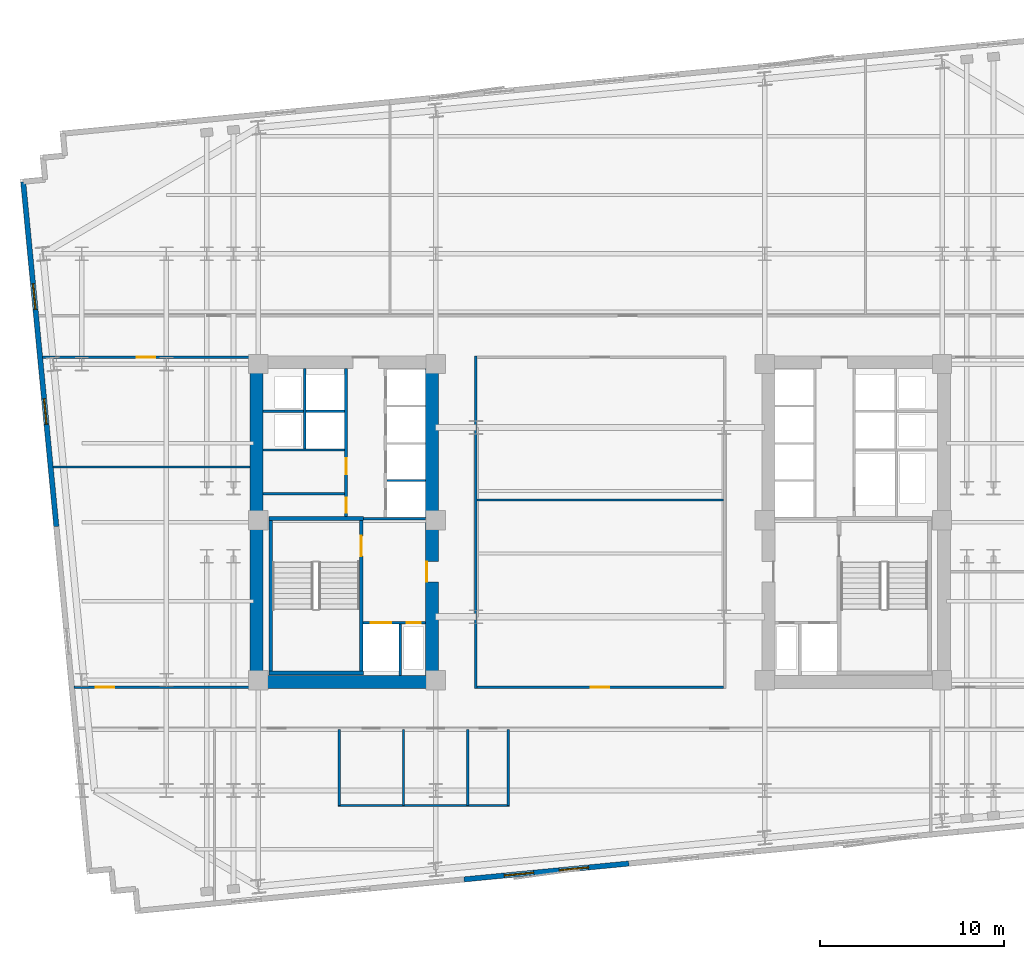
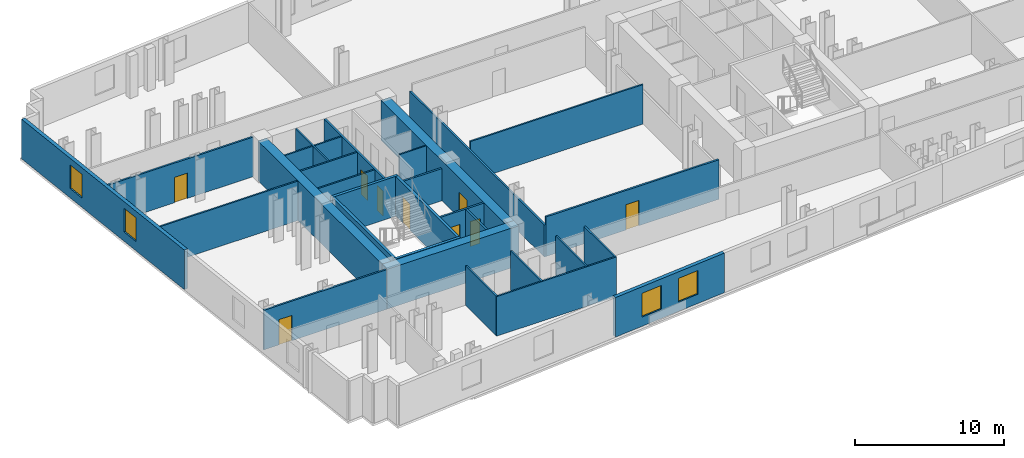
# One storey, part 4 of 10: 30 walls, 9 doors, 4 windows, 13 openings.
"""IFC4 building model written with IfcOpenShell, lengths in metres."""

import ifcopenshell
import ifcopenshell.guid

model = None  # the IFC model being written
_history = None  # IfcOwnerHistory: only IFC2X3 demands one
_inside = {}  # id of a spatial element -> (the spatial element, [elements in it])
_under = {}  # id of a project, library or spatial element -> (it, [spatial elements below it])
_declared = {}  # id of a project -> (the project, [libraries it declares])
_typed = {}  # id of a type object -> (the type object, [elements of that type])
_made_of = {}  # id of a material, layer set ... -> (it, [elements and type objects made of it])


def new_model(schema):
    """Start an empty IFC model of exactly this schema.

    Asked for "IFC4X3", IfcOpenShell would pick the latest addendum, in which some entities
    have other attributes; the version numbers below select the first issue.
    IFC2X3 requires an IfcOwnerHistory on every rooted entity: one is made here for all.
    """
    global model, _history
    if schema == "IFC4X3":
        model = ifcopenshell.file(schema_version=(4, 3, 0, 0))
    else:
        model = ifcopenshell.file(schema=schema)
    _inside.clear()
    _under.clear()
    _declared.clear()
    _typed.clear()
    _made_of.clear()
    _history = None
    if model.schema == "IFC2X3":
        org = make("IfcOrganization", Name="unknown")
        user = make(
            "IfcPersonAndOrganization",
            ThePerson=make("IfcPerson", FamilyName="unknown"),
            TheOrganization=org,
        )
        app = make(
            "IfcApplication",
            ApplicationDeveloper=org,
            Version="unknown",
            ApplicationFullName="unknown",
            ApplicationIdentifier="unknown",
        )
        _history = make(
            "IfcOwnerHistory",
            OwningUser=user,
            OwningApplication=app,
            ChangeAction="ADDED",
            CreationDate=0,
        )
    return model


def make(cls, **values):
    """One entity of the class cls with the attributes given. An attribute that is None is left unset."""
    return model.create_entity(
        cls, **{name: value for name, value in values.items() if value is not None}
    )


def rooted(cls, **values):
    """An entity with a GlobalId (a new one), such as an element, a storey or a relation."""
    return make(cls, GlobalId=ifcopenshell.guid.new(), OwnerHistory=_history, **values)


def si_unit(unit_type, name, prefix=None):
    """IfcSIUnit, for example si_unit("LENGTHUNIT", "METRE", prefix="MILLI")."""
    return make("IfcSIUnit", UnitType=unit_type, Prefix=prefix, Name=name)


def assignment(units):
    """IfcUnitAssignment: the units of a project."""
    return None if units is None else make("IfcUnitAssignment", Units=units)


def point(xyz):
    """IfcCartesianPoint."""
    return None if xyz is None else make("IfcCartesianPoint", Coordinates=xyz)


def direction(xyz):
    """IfcDirection."""
    return None if xyz is None else make("IfcDirection", DirectionRatios=xyz)


def frame(location, z_axis=None, x_axis=None):
    """IfcAxis2Placement3D, a coordinate frame: its origin and axes. An axis left out is left unset."""
    return make(
        "IfcAxis2Placement3D",
        Location=point(location),
        Axis=direction(z_axis),
        RefDirection=direction(x_axis),
    )


def frame_2d(location, x_axis=None):
    """IfcAxis2Placement2D, a coordinate frame in the plane: its origin and x axis."""
    return make(
        "IfcAxis2Placement2D", Location=point(location), RefDirection=direction(x_axis)
    )


def origin():
    """The frame at (0, 0, 0) with its axes left unset."""
    return frame((0.0, 0.0, 0.0))


def place(relative_to, where):
    """IfcLocalPlacement: puts the frame where relative to a parent placement (None: the world)."""
    return make(
        "IfcLocalPlacement", PlacementRelTo=relative_to, RelativePlacement=where
    )


def context(
    kind, dimensions, precision=None, world=None, true_north=None, identifier=None
):
    """IfcGeometricRepresentationContext, for example the 3D "Model" context."""
    return make(
        "IfcGeometricRepresentationContext",
        ContextIdentifier=identifier,
        ContextType=kind,
        CoordinateSpaceDimension=dimensions,
        Precision=precision,
        WorldCoordinateSystem=world,
        TrueNorth=true_north,
    )


def subcontext(parent, identifier, kind, view, scale=None):
    """IfcGeometricRepresentationSubContext, for example "Body" below "Model"."""
    return make(
        "IfcGeometricRepresentationSubContext",
        ContextIdentifier=identifier,
        ContextType=kind,
        ParentContext=parent,
        TargetScale=scale,
        TargetView=view,
    )


def project(units=None, contexts=None):
    """IfcProject with its units and contexts."""
    return rooted(
        "IfcProject",
        Name="project",
        RepresentationContexts=contexts,
        UnitsInContext=assignment(units),
    )


def spatial(cls, under=None, at=None, **own):
    """A site, building, storey or space (cls), placed at a placement, below another one or the project."""
    s = rooted(cls, ObjectPlacement=at, **own)
    if under is not None:
        _under.setdefault(under.id(), (under, []))[1].append(s)
    return s


def profile(cls, at=None, kind="AREA", **sizes):
    """A parametric profile (cls). Its sizes go by their IFC names, for example OverallWidth=200.0."""
    return make(cls, ProfileType=kind, Position=at, **sizes)


def rectangle(**sizes):
    """IfcRectangleProfileDef."""
    return profile("IfcRectangleProfileDef", **sizes)


def extrude(swept, where, along, depth):
    """IfcExtrudedAreaSolid: the profile swept, set in the frame where, extruded along a direction by depth."""
    return make(
        "IfcExtrudedAreaSolid",
        SweptArea=swept,
        Position=where,
        ExtrudedDirection=direction(along),
        Depth=depth,
    )


def shape(context_of_items, identifier, shape_type, items):
    """IfcShapeRepresentation: the items that make up one representation, for example the "Body"."""
    return make(
        "IfcShapeRepresentation",
        ContextOfItems=context_of_items,
        RepresentationIdentifier=identifier,
        RepresentationType=shape_type,
        Items=items,
    )


def material(Name=None, Category=None):
    """IfcMaterial."""
    return make("IfcMaterial", Name=Name, Category=Category)


def layer(
    of_material, thickness, ventilated=None, Name=None, Category=None, Priority=None
):
    """IfcMaterialLayer: one layer of a wall or slab, of a material (None: an air gap)."""
    return make(
        "IfcMaterialLayer",
        Material=of_material,
        LayerThickness=thickness,
        IsVentilated=ventilated,
        Name=Name,
        Category=Category,
        Priority=Priority,
    )


def layer_set(layers, Name=None):
    """IfcMaterialLayerSet."""
    return make("IfcMaterialLayerSet", MaterialLayers=layers, LayerSetName=Name)


def made_of(thing, what):
    """Note that an element or type object is made of a material, layer set ...; save() writes the relation."""
    if what is not None:
        _made_of.setdefault(what.id(), (what, []))[1].append(thing)
    return thing


def type_object(cls, material=None, **own):
    """A type object (cls), such as IfcWallType, which elements share."""
    return made_of(rooted(cls, **own), material)


def element(
    cls,
    number,
    at=None,
    inside=None,
    cuts=None,
    type_object=None,
    material=None,
    context=None,
    identifier="Body",
    shape_type=None,
    held_by="IfcProductDefinitionShape",
    body=None,
    shapes=None,
    **own,
):
    """One element of the class cls, such as IfcWall. Its Tag is "e" and its number.

    at: its placement. inside: the storey or other place that contains it. cuts: it is an
    opening in that element (IfcRelVoidsElement). A single representation is given by context,
    identifier, shape_type and body (its items); several are given by shapes. held_by: the class
    of the entity that holds the representations. save() writes the other relations.
    """
    e = rooted(cls, Tag="e%d" % number, ObjectPlacement=at, **own)
    if body is not None:
        shapes = [shape(context, identifier, shape_type, body)]
    if shapes is not None:
        e.Representation = make(held_by, Representations=shapes)
    if inside is not None:
        _inside.setdefault(inside.id(), (inside, []))[1].append(e)
    if cuts is not None:
        rooted(
            "IfcRelVoidsElement", RelatingBuildingElement=cuts, RelatedOpeningElement=e
        )
    if type_object is not None:
        _typed.setdefault(type_object.id(), (type_object, []))[1].append(e)
    return made_of(e, material)


def fill(opening, filler):
    """IfcRelFillsElement: the door or window that sits in an opening."""
    return rooted(
        "IfcRelFillsElement",
        RelatingOpeningElement=opening,
        RelatedBuildingElement=filler,
    )


def aggregate(whole, parts):
    """IfcRelAggregates: a whole, such as a stair, and the parts it consists of."""
    return rooted("IfcRelAggregates", RelatingObject=whole, RelatedObjects=parts)


def save(model, path):
    """Write the relations noted so far, then the file.

    IfcRelAggregates (storeys below a building ...), IfcRelContainedInSpatialStructure (elements
    in a storey), IfcRelDefinesByType, IfcRelAssociatesMaterial and IfcRelDeclares: one each for
    every whole, place, type object, material and project.
    """
    for whole, parts in _under.values():
        aggregate(whole, parts)
    for where, things in _inside.values():
        rooted(
            "IfcRelContainedInSpatialStructure",
            RelatedElements=things,
            RelatingStructure=where,
        )
    for kind, things in _typed.values():
        rooted("IfcRelDefinesByType", RelatedObjects=things, RelatingType=kind)
    for what, things in _made_of.values():
        rooted("IfcRelAssociatesMaterial", RelatedObjects=things, RelatingMaterial=what)
    for by, libraries in _declared.values():
        rooted("IfcRelDeclares", RelatingContext=by, RelatedDefinitions=libraries)
    model.write(path)


model = new_model("IFC4")

# Units and contexts
model_context = context("Model", 3, precision=1e-05, world=origin(), true_north=direction((0.0, 1.0)))
body_context = subcontext(model_context, "Body", "Model", "MODEL_VIEW")
ifc_project = project(units=[si_unit("LENGTHUNIT", "METRE"), si_unit("AREAUNIT", "SQUARE_METRE"), si_unit("VOLUMEUNIT", "CUBIC_METRE"), si_unit("PLANEANGLEUNIT", "RADIAN"), si_unit("MASSUNIT", "GRAM", prefix="KILO")], contexts=[model_context])

# Site, building, storey
site_placement = place(None, origin())
site = spatial("IfcSite", under=ifc_project, at=site_placement, CompositionType="ELEMENT")
building_placement = place(site_placement, origin())
building = spatial("IfcBuilding", under=site, at=building_placement, Name="Velakula Bourse", CompositionType="ELEMENT")
storey_placement = place(building_placement, frame((0.0, 0.0, 77.64990234375)))
storey = spatial("IfcBuildingStorey", under=building, at=storey_placement, Name="L20", CompositionType="ELEMENT", Elevation=77.64990234375)

# Wall, opening, door
ifc_material_1 = material(Name="Concrete M50 (fck 50 MPa)", Category="concrete")
ifc_layer_1 = layer(ifc_material_1, 0.2099609375, Name="Concrete M50 (fck 50 MPa)", Category="concrete")
ifc_layer_set_1 = layer_set([ifc_layer_1], Name="Concrete M50 (fck 50 MPa)")
wall_type_1 = type_object("IfcWallType", Name="WL-CORE-210", PredefinedType="SHEAR", material=ifc_layer_set_1)
wall_1_placement = place(storey_placement, frame((-12.9951171875, -8.10009765625, 0.0), z_axis=(0.0, 0.0, 1.0), x_axis=(0.0, 1.0, 0.0)))
wall_1 = element("IfcWall", 1, at=wall_1_placement, inside=storey, type_object=wall_type_1, Name="L20 Core W Stairwell Shear Wall IN", PredefinedType="SHEAR", context=body_context, shape_type="SweptSolid", body=[
    extrude(rectangle(XDim=8.2001953125, YDim=0.2099609375, at=frame_2d((4.10009765625, 0.0))), origin(), (0.0, 0.0, 1.0), 3.27001953125),
])
opening_1_placement = place(wall_1_placement, frame((6.25, 0.0, 0.0)))
opening_1 = element("IfcOpeningElement", 2, at=opening_1_placement, cuts=wall_1, Name="Opening D-STW1", PredefinedType="OPENING", context=body_context, shape_type="SweptSolid", body=[
    extrude(rectangle(XDim=1.10009765625, YDim=2.14990234375, at=frame_2d((0.550048828125, 1.074951171875))), frame((0.0, 0.114990234375, 0.0), z_axis=(0.0, -1.0, 0.0), x_axis=(1.0, 0.0, 0.0)), (0.0, 0.0, 1.0), 0.22998046875),
])
ifc_material_2 = material(Name="Galvanised painted hollow steel fire door", Category="steel")
door_type_1 = type_object("IfcDoorType", Name="DR-FD120-1100x2150", OperationType="NOTDEFINED", PredefinedType="DOOR", material=ifc_material_2)
door_1_placement = place(opening_1_placement, origin())
door_1 = element("IfcDoor", 3, at=door_1_placement, inside=storey, type_object=door_type_1, Name="L20 Stair ST-W1 Fire Door", OperationType="SINGLE_SWING_LEFT", OverallHeight=2.14990234375, OverallWidth=1.10009765625, PredefinedType="DOOR", context=body_context, shape_type="SweptSolid", body=[
    extrude(rectangle(XDim=1.10009765625, YDim=2.14990234375, at=frame_2d((0.550048828125, 1.074951171875))), frame((0.0, 0.02490234375, 0.0), z_axis=(0.0, -1.0, 0.0), x_axis=(1.0, 0.0, 0.0)), (0.0, 0.0, 1.0), 0.050048828125),
])
fill(opening_1, door_1)

# Walls
wall_2_placement = place(storey_placement, frame((-17.925048828125, -8.10009765625, 0.0), z_axis=(0.0, 0.0, 1.0), x_axis=(0.0, 1.0, 0.0)))
element("IfcWall", 4, at=wall_2_placement, inside=storey, type_object=wall_type_1, Name="L20 Core W Stairwell Shear Wall OUT", PredefinedType="SHEAR", context=body_context, shape_type="SweptSolid", body=[
    extrude(rectangle(XDim=8.2001953125, YDim=0.2099609375, at=frame_2d((4.10009765625, 0.0))), origin(), (0.0, 0.0, 1.0), 3.27001953125),
])
for number, where, z_axis, x_axis, name in (
    (5, (-18.030029296875, -8.205078125, 0.0), (0.0, 0.0, 1.0), (1.0, 0.0, 0.0), "L20 Core W Stairwell Shear Wall S"),
    (6, (-12.889892578125, 0.205078125, 0.0), (0.0, 0.0, 1.0), (-1.0, 0.0, 0.0), "L20 Core W Stairwell Shear Wall N"),
):
    element("IfcWall", number, at=place(storey_placement, frame(where, z_axis=z_axis, x_axis=x_axis)), inside=storey, type_object=wall_type_1, Name=name, PredefinedType="SHEAR", context=body_context, shape_type="SweptSolid", body=[
        extrude(rectangle(XDim=5.14013671875, YDim=0.2099609375, at=frame_2d((2.570068359375, 0.0))), origin(), (0.0, 0.0, 1.0), 3.27001953125),
    ])
ifc_material_3 = material(Name="Concrete M70 (fck 70 MPa)", Category="concrete")
ifc_layer_2 = layer(ifc_material_3, 0.699951171875, Name="Concrete M70 (fck 70 MPa)", Category="concrete")
ifc_layer_set_2 = layer_set([ifc_layer_2], Name="Concrete M70 (fck 70 MPa)")
wall_type_2 = type_object("IfcWallType", Name="WL-CORE-700", PredefinedType="SHEAR", material=ifc_layer_set_2)
wall_3_placement = place(storey_placement, frame((-19.050048828125, -8.699951171875, 0.0), z_axis=(0.0, 0.0, 1.0), x_axis=(1.0, 0.0, 0.0)))
element("IfcWall", 7, at=wall_3_placement, inside=storey, type_object=wall_type_2, Name="L20 Core W Shear Wall S", PredefinedType="SHEAR", context=body_context, shape_type="SweptSolid", body=[
    extrude(rectangle(XDim=10.25, YDim=0.699951171875, at=frame_2d((5.125, 0.0))), origin(), (0.0, 0.0, 1.0), 3.27001953125),
])
wall_4_placement = place(storey_placement, frame((-18.699951171875, -8.35009765625, 0.0), z_axis=(0.0, 0.0, 1.0), x_axis=(0.0, 1.0, 0.0)))
element("IfcWall", 8, at=wall_4_placement, inside=storey, type_object=wall_type_2, Name="L20 Core W Shear Wall W", PredefinedType="SHEAR", context=body_context, shape_type="SweptSolid", body=[
    extrude(rectangle(XDim=16.7001953125, YDim=0.699951171875, at=frame_2d((8.35009765625, 0.0))), origin(), (0.0, 0.0, 1.0), 3.27001953125),
])

# Wall, opening, door
wall_5_placement = place(storey_placement, frame((-9.14990234375, -8.35009765625, 0.0), z_axis=(0.0, 0.0, 1.0), x_axis=(0.0, 1.0, 0.0)))
wall_5 = element("IfcWall", 9, at=wall_5_placement, inside=storey, type_object=wall_type_2, Name="L20 Core W Shear Wall E", PredefinedType="SHEAR", context=body_context, shape_type="SweptSolid", body=[
    extrude(rectangle(XDim=16.7001953125, YDim=0.699951171875, at=frame_2d((8.35009765625, 0.0))), origin(), (0.0, 0.0, 1.0), 3.27001953125),
])
opening_2_placement = place(wall_5_placement, frame((5.10009765625, 0.0, 0.0)))
opening_2 = element("IfcOpeningElement", 10, at=opening_2_placement, cuts=wall_5, Name="Opening D-FLW", PredefinedType="OPENING", context=body_context, shape_type="SweptSolid", body=[
    extrude(rectangle(XDim=1.10009765625, YDim=2.080078125, at=frame_2d((0.550048828125, 1.0400390625))), frame((0.0, 0.35986328125, 0.0), z_axis=(0.0, -1.0, 0.0), x_axis=(1.0, 0.0, 0.0)), (0.0, 0.0, 1.0), 0.719970703125),
])
door_type_2 = type_object("IfcDoorType", Name="DR-FD120-1100", OperationType="NOTDEFINED", PredefinedType="DOOR", material=ifc_material_2)
door_2_placement = place(opening_2_placement, origin())
door_2 = element("IfcDoor", 11, at=door_2_placement, inside=storey, type_object=door_type_2, Name="L20 Firefighting Lobby W Corridor Fire Door", OperationType="SINGLE_SWING_LEFT", OverallHeight=2.080078125, OverallWidth=1.10009765625, PredefinedType="DOOR", context=body_context, shape_type="SweptSolid", body=[
    extrude(rectangle(XDim=1.10009765625, YDim=2.080078125, at=frame_2d((0.550048828125, 1.0400390625))), frame((0.0, 0.30517578125, 0.0), z_axis=(0.0, -1.0, 0.0), x_axis=(1.0, 0.0, 0.0)), (0.0, 0.0, 1.0), 0.050048828125),
])
fill(opening_2, door_2)

# Wall, openings, windows
ifc_material_4 = material(Name="Red kilned clay facing brick masonry", Category="masonry")
ifc_layer_3 = layer(ifc_material_4, 0.280029296875, Name="Red kilned clay facing brick masonry", Category="masonry")
ifc_layer_set_3 = layer_set([ifc_layer_3], Name="Red kilned clay facing brick masonry")
wall_type_3 = type_object("IfcWallType", Name="WL-EXT-BRK-280", PredefinedType="STANDARD", material=ifc_layer_set_3)
wall_6_placement = place(storey_placement, frame((1.556396484375, -18.573486328125, 0.0), z_axis=(0.0, 0.0, 1.0), x_axis=(-0.995396794462, -0.09583956164, 0.0)))
wall_6 = element("IfcWall", 12, at=wall_6_placement, inside=storey, type_object=wall_type_3, Name="L20 S Brick Spandrel Wall B2", PredefinedType="STANDARD", context=body_context, shape_type="SweptSolid", body=[
    extrude(rectangle(XDim=9.0, YDim=0.280029296875, at=frame_2d((4.5, 0.0))), origin(), (0.0, 0.0, 1.0), 3.25),
])
opening_3_placement = place(wall_6_placement, frame((2.199951171875, 0.0, 0.760009765625)))
opening_3 = element("IfcOpeningElement", 13, at=opening_3_placement, cuts=wall_6, Name="Opening W-02", PredefinedType="OPENING", context=body_context, shape_type="SweptSolid", body=[
    extrude(rectangle(XDim=1.60009765625, YDim=1.949951171875, at=frame_2d((0.800048828125, 0.97509765625))), frame((0.0, 0.14990234375, 0.0), z_axis=(0.0, -1.0, 0.0), x_axis=(1.0, 0.0, 0.0)), (0.0, 0.0, 1.0), 0.300048828125),
])
opening_4_placement = place(wall_6_placement, frame((5.199951171875, 0.0, 0.760009765625)))
opening_4 = element("IfcOpeningElement", 14, at=opening_4_placement, cuts=wall_6, Name="Opening W-02", PredefinedType="OPENING", context=body_context, shape_type="SweptSolid", body=[
    extrude(rectangle(XDim=1.60009765625, YDim=1.949951171875, at=frame_2d((0.800048828125, 0.97509765625))), frame((0.0, 0.14990234375, 0.0), z_axis=(0.0, -1.0, 0.0), x_axis=(1.0, 0.0, 0.0)), (0.0, 0.0, 1.0), 0.300048828125),
])
ifc_material_5 = material(Name="Double-glazed solar-control Low-E glass", Category="glass")
window_type_1 = type_object("IfcWindowType", Name="WIN-TWR-1600x2100", PartitioningType="SINGLE_PANEL", PredefinedType="WINDOW", material=ifc_material_5)
window_1_placement = place(opening_3_placement, origin())
window_1 = element("IfcWindow", 15, at=window_1_placement, inside=storey, type_object=window_type_1, Name="L20 Deep-Set Recessed Window 1", OverallHeight=1.949951171875, OverallWidth=1.60009765625, PartitioningType="SINGLE_PANEL", PredefinedType="WINDOW", context=body_context, shape_type="SweptSolid", body=[
    extrude(rectangle(XDim=1.60009765625, YDim=1.949951171875, at=frame_2d((0.800048828125, 0.97509765625))), frame((0.0, 0.030029296875, 0.0), z_axis=(0.0, -1.0, 0.0), x_axis=(1.0, 0.0, 0.0)), (0.0, 0.0, 1.0), 0.06005859375),
])
fill(opening_3, window_1)
window_2_placement = place(opening_4_placement, origin())
window_2 = element("IfcWindow", 16, at=window_2_placement, inside=storey, type_object=window_type_1, Name="L20 Deep-Set Recessed Window 2", OverallHeight=1.949951171875, OverallWidth=1.60009765625, PartitioningType="SINGLE_PANEL", PredefinedType="WINDOW", context=body_context, shape_type="SweptSolid", body=[
    extrude(rectangle(XDim=1.60009765625, YDim=1.949951171875, at=frame_2d((0.800048828125, 0.97509765625))), frame((0.0, 0.030029296875, 0.0), z_axis=(0.0, -1.0, 0.0), x_axis=(1.0, 0.0, 0.0)), (0.0, 0.0, 1.0), 0.06005859375),
])
fill(opening_4, window_2)

wall_7_placement = place(storey_placement, frame((-29.584716796875, -0.23388671875, 0.0), z_axis=(0.0, 0.0, 1.0), x_axis=(-0.095841297881, 0.99539662729, 0.0)))
wall_7 = element("IfcWall", 17, at=wall_7_placement, inside=storey, type_object=wall_type_3, Name="L20 W Brick End Wall W2", PredefinedType="STANDARD", context=body_context, shape_type="SweptSolid", body=[
    extrude(rectangle(XDim=18.840087890625, YDim=0.280029296875, at=frame_2d((9.419921875, 0.0))), origin(), (0.0, 0.0, 1.0), 3.25),
])
opening_5_placement = place(wall_7_placement, frame((5.580078125, 0.0, 0.760009765625)))
opening_5 = element("IfcOpeningElement", 18, at=opening_5_placement, cuts=wall_7, Name="Opening W-03", PredefinedType="OPENING", context=body_context, shape_type="SweptSolid", body=[
    extrude(rectangle(XDim=1.39990234375, YDim=1.949951171875, at=frame_2d((0.699951171875, 0.97509765625))), frame((0.0, 0.14990234375, 0.0), z_axis=(0.0, -1.0, 0.0), x_axis=(1.0, 0.0, 0.0)), (0.0, 0.0, 1.0), 0.300048828125),
])
opening_6_placement = place(wall_7_placement, frame((11.860107421875, 0.0, 0.760009765625)))
opening_6 = element("IfcOpeningElement", 19, at=opening_6_placement, cuts=wall_7, Name="Opening W-03", PredefinedType="OPENING", context=body_context, shape_type="SweptSolid", body=[
    extrude(rectangle(XDim=1.39990234375, YDim=1.949951171875, at=frame_2d((0.699951171875, 0.97509765625))), frame((0.0, 0.14990234375, 0.0), z_axis=(0.0, -1.0, 0.0), x_axis=(1.0, 0.0, 0.0)), (0.0, 0.0, 1.0), 0.300048828125),
])
window_type_2 = type_object("IfcWindowType", Name="WIN-TWR-1400x2100", PartitioningType="SINGLE_PANEL", PredefinedType="WINDOW", material=ifc_material_5)
window_3_placement = place(opening_5_placement, origin())
window_3 = element("IfcWindow", 20, at=window_3_placement, inside=storey, type_object=window_type_2, Name="L20 Deep-Set Recessed Window 1", OverallHeight=1.949951171875, OverallWidth=1.39990234375, PartitioningType="SINGLE_PANEL", PredefinedType="WINDOW", context=body_context, shape_type="SweptSolid", body=[
    extrude(rectangle(XDim=1.39990234375, YDim=1.949951171875, at=frame_2d((0.699951171875, 0.97509765625))), frame((0.0, 0.030029296875, 0.0), z_axis=(0.0, -1.0, 0.0), x_axis=(1.0, 0.0, 0.0)), (0.0, 0.0, 1.0), 0.06005859375),
])
fill(opening_5, window_3)
window_4_placement = place(opening_6_placement, origin())
window_4 = element("IfcWindow", 21, at=window_4_placement, inside=storey, type_object=window_type_2, Name="L20 Deep-Set Recessed Window 2", OverallHeight=1.949951171875, OverallWidth=1.39990234375, PartitioningType="SINGLE_PANEL", PredefinedType="WINDOW", context=body_context, shape_type="SweptSolid", body=[
    extrude(rectangle(XDim=1.39990234375, YDim=1.949951171875, at=frame_2d((0.699951171875, 0.97509765625))), frame((0.0, 0.030029296875, 0.0), z_axis=(0.0, -1.0, 0.0), x_axis=(1.0, 0.0, 0.0)), (0.0, 0.0, 1.0), 0.06005859375),
])
fill(opening_6, window_4)

# Walls
ifc_material_6 = material(Name="Fire-rated double-layer gypsum drywall partition", Category="gypsum")
ifc_layer_4 = layer(ifc_material_6, 0.1201171875, Name="Fire-rated double-layer gypsum drywall partition", Category="gypsum")
ifc_layer_set_4 = layer_set([ifc_layer_4], Name="Fire-rated double-layer gypsum drywall partition")
wall_type_4 = type_object("IfcWallType", Name="WL-PART-120", PredefinedType="STANDARD", material=ifc_layer_set_4)
wall_8_placement = place(storey_placement, frame((-11.60009765625, 2.2548828125, 0.0), z_axis=(0.0, 0.0, 1.0), x_axis=(1.0, 0.0, 0.0)))
element("IfcWall", 22, at=wall_8_placement, inside=storey, type_object=wall_type_4, Name="L20 Interior Partition WL-CRW-L20-BDIV-0", PredefinedType="STANDARD", context=body_context, shape_type="SweptSolid", body=[
    extrude(rectangle(XDim=2.10009765625, YDim=0.110107421875, at=frame_2d((1.050048828125, 0.0))), origin(), (0.0, 0.0, 1.0), 3.25),
])
wall_9_placement = place(storey_placement, frame((-18.35009765625, 3.919921875, 0.0), z_axis=(0.0, 0.0, 1.0), x_axis=(1.0, 0.0, 0.0)))
element("IfcWall", 23, at=wall_9_placement, inside=storey, type_object=wall_type_4, Name="L20 Interior Partition WL-CRW-L20-HI-S", PredefinedType="STANDARD", context=body_context, shape_type="SweptSolid", body=[
    extrude(rectangle(XDim=4.4501953125, YDim=0.1201171875, at=frame_2d((2.22509765625, 0.0))), origin(), (0.0, 0.0, 1.0), 3.25),
])
wall_10_placement = place(storey_placement, frame((-18.35009765625, 6.030029296875, 0.0), z_axis=(0.0, 0.0, 1.0), x_axis=(1.0, 0.0, 0.0)))
element("IfcWall", 24, at=wall_10_placement, inside=storey, type_object=wall_type_4, Name="L20 Interior Partition WL-CRW-L20-RIS-MID", PredefinedType="STANDARD", context=body_context, shape_type="SweptSolid", body=[
    extrude(rectangle(XDim=2.2001953125, YDim=0.1201171875, at=frame_2d((1.10009765625, 0.0))), origin(), (0.0, 0.0, 1.0), 3.25),
])
wall_11_placement = place(storey_placement, frame((-16.074951171875, 3.97998046875, 0.0), z_axis=(0.0, 0.0, 1.0), x_axis=(0.0, 1.0, 0.0)))
element("IfcWall", 25, at=wall_11_placement, inside=storey, type_object=wall_type_4, Name="L20 Interior Partition WL-CRW-L20-RIS-F", PredefinedType="STANDARD", context=body_context, shape_type="SweptSolid", body=[
    extrude(rectangle(XDim=4.3701171875, YDim=0.1201171875, at=frame_2d((2.18505859375, 0.0))), origin(), (0.0, 0.0, 1.0), 3.25),
])
wall_12_placement = place(storey_placement, frame((-16.0, 6.030029296875, 0.0), z_axis=(0.0, 0.0, 1.0), x_axis=(1.0, 0.0, 0.0)))
element("IfcWall", 26, at=wall_12_placement, inside=storey, type_object=wall_type_4, Name="L20 Interior Partition WL-CRW-L20-HI-DIV", PredefinedType="STANDARD", context=body_context, shape_type="SweptSolid", body=[
    extrude(rectangle(XDim=2.10009765625, YDim=0.1201171875, at=frame_2d((1.050048828125, 0.0))), origin(), (0.0, 0.0, 1.0), 3.25),
])
wall_13_placement = place(storey_placement, frame((-18.35009765625, 1.550048828125, 0.0), z_axis=(0.0, 0.0, 1.0), x_axis=(1.0, 0.0, 0.0)))
element("IfcWall", 27, at=wall_13_placement, inside=storey, type_object=wall_type_4, Name="L20 Interior Partition WL-CRW-L20-K1", PredefinedType="STANDARD", context=body_context, shape_type="SweptSolid", body=[
    extrude(rectangle(XDim=4.4501953125, YDim=0.1201171875, at=frame_2d((2.22509765625, 0.0))), origin(), (0.0, 0.0, 1.0), 3.25),
])
wall_14_placement = place(storey_placement, frame((-14.260009765625, -15.419921875, 0.0), z_axis=(0.0, 0.0, 1.0), x_axis=(1.0, 0.0, 0.0)))
element("IfcWall", 28, at=wall_14_placement, inside=storey, type_object=wall_type_4, Name="L20 Interior Partition WL-WC-L20-BACK", PredefinedType="STANDARD", context=body_context, shape_type="SweptSolid", body=[
    extrude(rectangle(XDim=9.320068359375, YDim=0.1201171875, at=frame_2d((4.66015625, 0.0))), origin(), (0.0, 0.0, 1.0), 3.25),
])
for number, where, z_axis, x_axis, name in (
    (29, (-14.199951171875, -15.419921875, 0.0), (0.0, 0.0, 1.0), (0.0, 1.0, 0.0), "L20 Interior Partition WL-WC-L20-V1"),
    (30, (-10.699951171875, -15.419921875, 0.0), (0.0, 0.0, 1.0), (0.0, 1.0, 0.0), "L20 Interior Partition WL-WC-L20-V2"),
    (31, (-7.199951171875, -15.419921875, 0.0), (0.0, 0.0, 1.0), (0.0, 1.0, 0.0), "L20 Interior Partition WL-WC-L20-V3"),
    (32, (-5.0, -15.419921875, 0.0), (0.0, 0.0, 1.0), (0.0, 1.0, 0.0), "L20 Interior Partition WL-WC-L20-V4"),
):
    element("IfcWall", number, at=place(storey_placement, frame(where, z_axis=z_axis, x_axis=x_axis)), inside=storey, type_object=wall_type_4, Name=name, PredefinedType="STANDARD", context=body_context, shape_type="SweptSolid", body=[
        extrude(rectangle(XDim=4.1298828125, YDim=0.1201171875, at=frame_2d((2.06494140625, 0.0))), origin(), (0.0, 0.0, 1.0), 3.25),
    ])
wall_15_placement = place(storey_placement, frame((-29.775390625, 3.0, 0.0), z_axis=(0.0, 0.0, 1.0), x_axis=(1.0, 0.0, 0.0)))
element("IfcWall", 33, at=wall_15_placement, inside=storey, type_object=wall_type_4, Name="L20 Interior Partition WL-INT-L20-W-H", PredefinedType="STANDARD", context=body_context, shape_type="SweptSolid", body=[
    extrude(rectangle(XDim=10.725341796875, YDim=0.1201171875, at=frame_2d((5.36279296875, 0.0))), origin(), (0.0, 0.0, 1.0), 3.25),
])

# Wall, opening, door
ifc_layer_5 = layer(ifc_material_6, 0.139892578125, Name="Fire-rated double-layer gypsum drywall partition", Category="gypsum")
ifc_layer_set_5 = layer_set([ifc_layer_5], Name="Fire-rated double-layer gypsum drywall partition")
wall_type_5 = type_object("IfcWallType", Name="WL-PART-140", PredefinedType="STANDARD", material=ifc_layer_set_5)
wall_16_placement = place(storey_placement, frame((-30.351318359375, 8.97998046875, 0.0), z_axis=(0.0, 0.0, 1.0), x_axis=(1.0, 0.0, 0.0)))
wall_16 = element("IfcWall", 34, at=wall_16_placement, inside=storey, type_object=wall_type_5, Name="L20 Interior Partition WL-INT-L20-W-NC", PredefinedType="STANDARD", context=body_context, shape_type="SweptSolid", body=[
    extrude(rectangle(XDim=11.30126953125, YDim=0.139892578125, at=frame_2d((5.650634765625, 0.0))), origin(), (0.0, 0.0, 1.0), 3.25),
])
opening_7_placement = place(wall_16_placement, frame((5.150634765625, 0.0, 0.0)))
opening_7 = element("IfcOpeningElement", 35, at=opening_7_placement, cuts=wall_16, Name="Opening D-OF1", PredefinedType="OPENING", context=body_context, shape_type="SweptSolid", body=[
    extrude(rectangle(XDim=1.0, YDim=2.080078125, at=frame_2d((0.5, 1.0400390625))), frame((0.0, 0.079833984375, 0.0), z_axis=(0.0, -1.0, 0.0), x_axis=(1.0, 0.0, 0.0)), (0.0, 0.0, 1.0), 0.159912109375),
])
ifc_material_7 = material(Name="Fire-rated hardwood flush architectural door", Category="wood")
door_type_3 = type_object("IfcDoorType", Name="DR-OFF-1000", OperationType="NOTDEFINED", PredefinedType="DOOR", material=ifc_material_7)
door_3_placement = place(opening_7_placement, origin())
door_3 = element("IfcDoor", 36, at=door_3_placement, inside=storey, type_object=door_type_3, Name="L20 Broadcast Control Office Door", OperationType="SINGLE_SWING_LEFT", OverallHeight=2.080078125, OverallWidth=1.0, PredefinedType="DOOR", context=body_context, shape_type="SweptSolid", body=[
    extrude(rectangle(XDim=1.0, YDim=2.080078125, at=frame_2d((0.5, 1.0400390625))), frame((0.0, 0.02490234375, 0.0), z_axis=(0.0, -1.0, 0.0), x_axis=(1.0, 0.0, 0.0)), (0.0, 0.0, 1.0), 0.050048828125),
])
fill(opening_7, door_3)

wall_17_placement = place(storey_placement, frame((-28.6220703125, -8.97998046875, 0.0), z_axis=(0.0, 0.0, 1.0), x_axis=(1.0, 0.0, 0.0)))
wall_17 = element("IfcWall", 37, at=wall_17_placement, inside=storey, type_object=wall_type_5, Name="L20 Interior Partition WL-INT-L20-W-SC", PredefinedType="STANDARD", context=body_context, shape_type="SweptSolid", body=[
    extrude(rectangle(XDim=9.572021484375, YDim=0.139892578125, at=frame_2d((4.7861328125, 0.0))), origin(), (0.0, 0.0, 1.0), 3.25),
])
opening_8_placement = place(wall_17_placement, frame((1.177490234375, 0.0, 0.0)))
opening_8 = element("IfcOpeningElement", 38, at=opening_8_placement, cuts=wall_17, Name="Opening D-OF1", PredefinedType="OPENING", context=body_context, shape_type="SweptSolid", body=[
    extrude(rectangle(XDim=1.0, YDim=2.080078125, at=frame_2d((0.5, 1.0400390625))), frame((0.0, 0.079833984375, 0.0), z_axis=(0.0, -1.0, 0.0), x_axis=(1.0, 0.0, 0.0)), (0.0, 0.0, 1.0), 0.159912109375),
])
door_4_placement = place(opening_8_placement, origin())
door_4 = element("IfcDoor", 39, at=door_4_placement, inside=storey, type_object=door_type_3, Name="L20 Sovereign Wealth Desk Workspace Door", OperationType="SINGLE_SWING_RIGHT", OverallHeight=2.080078125, OverallWidth=1.0, PredefinedType="DOOR", context=body_context, shape_type="SweptSolid", body=[
    extrude(rectangle(XDim=1.0, YDim=2.080078125, at=frame_2d((0.5, 1.0400390625))), frame((0.0, 0.02490234375, 0.0), z_axis=(0.0, -1.0, 0.0), x_axis=(1.0, 0.0, 0.0)), (0.0, 0.0, 1.0), 0.050048828125),
])
fill(opening_8, door_4)

# Wall
wall_18_placement = place(storey_placement, frame((-6.780029296875, -9.050048828125, 0.0), z_axis=(0.0, 0.0, 1.0), x_axis=(0.0, 1.0, 0.0)))
element("IfcWall", 40, at=wall_18_placement, inside=storey, type_object=wall_type_5, Name="L20 Interior Partition WL-INT-L20-MID-W", PredefinedType="STANDARD", context=body_context, shape_type="SweptSolid", body=[
    extrude(rectangle(XDim=18.10009765625, YDim=0.139892578125, at=frame_2d((9.050048828125, 0.0))), origin(), (0.0, 0.0, 1.0), 2.64501953125),
])

# Wall, opening, door
wall_19_placement = place(storey_placement, frame((-6.7099609375, -8.97998046875, 0.0), z_axis=(0.0, 0.0, 1.0), x_axis=(1.0, 0.0, 0.0)))
wall_19 = element("IfcWall", 41, at=wall_19_placement, inside=storey, type_object=wall_type_5, Name="L20 Interior Partition WL-INT-L20-MID-S", PredefinedType="STANDARD", context=body_context, shape_type="SweptSolid", body=[
    extrude(rectangle(XDim=13.419921875, YDim=0.139892578125, at=frame_2d((6.7099609375, 0.0))), origin(), (0.0, 0.0, 1.0), 3.25),
])
opening_9_placement = place(wall_19_placement, frame((6.2099609375, 0.0, 0.0)))
opening_9 = element("IfcOpeningElement", 42, at=opening_9_placement, cuts=wall_19, Name="Opening D-OF1", PredefinedType="OPENING", context=body_context, shape_type="SweptSolid", body=[
    extrude(rectangle(XDim=1.0, YDim=2.080078125, at=frame_2d((0.5, 1.0400390625))), frame((0.0, 0.079833984375, 0.0), z_axis=(0.0, -1.0, 0.0), x_axis=(1.0, 0.0, 0.0)), (0.0, 0.0, 1.0), 0.159912109375),
])
door_5_placement = place(opening_9_placement, origin())
door_5 = element("IfcDoor", 43, at=door_5_placement, inside=storey, type_object=door_type_3, Name="L20 Central Dealing Chamber South Door", OperationType="SINGLE_SWING_LEFT", OverallHeight=2.080078125, OverallWidth=1.0, PredefinedType="DOOR", context=body_context, shape_type="SweptSolid", body=[
    extrude(rectangle(XDim=1.0, YDim=2.080078125, at=frame_2d((0.5, 1.0400390625))), frame((0.0, 0.02490234375, 0.0), z_axis=(0.0, -1.0, 0.0), x_axis=(1.0, 0.0, 0.0)), (0.0, 0.0, 1.0), 0.050048828125),
])
fill(opening_9, door_5)

# Wall
wall_20_placement = place(storey_placement, frame((-6.7099609375, 1.199951171875, 0.0), z_axis=(0.0, 0.0, 1.0), x_axis=(1.0, 0.0, 0.0)))
element("IfcWall", 44, at=wall_20_placement, inside=storey, type_object=wall_type_5, Name="L20 Interior Partition WL-INT-L20-MDY", PredefinedType="STANDARD", context=body_context, shape_type="SweptSolid", body=[
    extrude(rectangle(XDim=13.419921875, YDim=0.1201171875, at=frame_2d((6.7099609375, 0.0))), origin(), (0.0, 0.0, 1.0), 3.25),
])

# Wall, openings, doors
ifc_material_8 = material(Name="Autoclaved aerated concrete blockwork masonry", Category="masonry")
ifc_layer_6 = layer(ifc_material_8, 0.14990234375, Name="Autoclaved aerated concrete blockwork masonry", Category="masonry")
ifc_layer_set_6 = layer_set([ifc_layer_6], Name="Autoclaved aerated concrete blockwork masonry")
wall_type_6 = type_object("IfcWallType", Name="WL-SHAFT-150", PredefinedType="STANDARD", material=ifc_layer_set_6)
wall_21_placement = place(storey_placement, frame((-12.89501953125, -5.47509765625, 0.0), z_axis=(0.0, 0.0, 1.0), x_axis=(1.0, 0.0, 0.0)))
wall_21 = element("IfcWall", 45, at=wall_21_placement, inside=storey, type_object=wall_type_6, Name="L20 Interior Partition WL-CRW-L20-FFL-N", PredefinedType="STANDARD", context=body_context, shape_type="SweptSolid", body=[
    extrude(rectangle(XDim=3.39501953125, YDim=0.14990234375, at=frame_2d((1.697509765625, 0.0))), origin(), (0.0, 0.0, 1.0), 3.25),
])
opening_10_placement = place(wall_21_placement, frame((0.419921875, 0.0, 0.0)))
opening_10 = element("IfcOpeningElement", 46, at=opening_10_placement, cuts=wall_21, Name="Opening LD-FFL-1", PredefinedType="OPENING", context=body_context, shape_type="SweptSolid", body=[
    extrude(rectangle(XDim=1.10009765625, YDim=2.14990234375, at=frame_2d((0.550048828125, 1.074951171875))), frame((0.0, 0.0849609375, 0.0), z_axis=(0.0, -1.0, 0.0), x_axis=(1.0, 0.0, 0.0)), (0.0, 0.0, 1.0), 0.169921875),
])
opening_11_placement = place(wall_21_placement, frame((2.3701171875, 0.0, 0.0)))
opening_11 = element("IfcOpeningElement", 47, at=opening_11_placement, cuts=wall_21, Name="Opening D-RS1", PredefinedType="OPENING", context=body_context, shape_type="SweptSolid", body=[
    extrude(rectangle(XDim=0.75, YDim=2.050048828125, at=frame_2d((0.375, 1.02490234375))), frame((0.0, 0.0849609375, 0.0), z_axis=(0.0, -1.0, 0.0), x_axis=(1.0, 0.0, 0.0)), (0.0, 0.0, 1.0), 0.169921875),
])
door_type_4 = type_object("IfcDoorType", Name="DR-RISER-800", OperationType="NOTDEFINED", PredefinedType="DOOR", material=ifc_material_2)
door_6_placement = place(opening_11_placement, origin())
door_6 = element("IfcDoor", 48, at=door_6_placement, inside=storey, type_object=door_type_4, Name="L20 Fire Riser Access Door", OperationType="SINGLE_SWING_LEFT", OverallHeight=2.050048828125, OverallWidth=0.75, PredefinedType="DOOR", context=body_context, shape_type="SweptSolid", body=[
    extrude(rectangle(XDim=0.75, YDim=2.050048828125, at=frame_2d((0.375, 1.02490234375))), frame((0.0, 0.02490234375, 0.0), z_axis=(0.0, -1.0, 0.0), x_axis=(1.0, 0.0, 0.0)), (0.0, 0.0, 1.0), 0.050048828125),
])
fill(opening_11, door_6)
ifc_material_9 = material(Name="Brushed grade 316 stainless steel", Category="steel")
door_type_5 = type_object("IfcDoorType", Name="DR-SLIDE-FFL-1100", OperationType="DOUBLE_DOOR_SLIDING", PredefinedType="DOOR", material=ifc_material_9)
door_7_placement = place(opening_10_placement, origin())
door_7 = element("IfcDoor", 49, at=door_7_placement, inside=storey, type_object=door_type_5, Name="L20 Firefighting Lift FFL-1 Sliding Landing Door", OperationType="DOUBLE_DOOR_SLIDING", OverallHeight=2.14990234375, OverallWidth=1.10009765625, PredefinedType="DOOR", context=body_context, shape_type="SweptSolid", body=[
    extrude(rectangle(XDim=1.10009765625, YDim=2.14990234375, at=frame_2d((0.550048828125, 1.074951171875))), frame((0.0, 0.02490234375, 0.0), z_axis=(0.0, -1.0, 0.0), x_axis=(1.0, 0.0, 0.0)), (0.0, 0.0, 1.0), 0.050048828125),
])
fill(opening_10, door_7)

# Walls
wall_22_placement = place(storey_placement, frame((-10.875, -8.35009765625, 0.0), z_axis=(0.0, 0.0, 1.0), x_axis=(0.0, 1.0, 0.0)))
element("IfcWall", 50, at=wall_22_placement, inside=storey, type_object=wall_type_6, Name="L20 Interior Partition WL-CRW-L20-FR-DIV", PredefinedType="STANDARD", context=body_context, shape_type="SweptSolid", body=[
    extrude(rectangle(XDim=2.800048828125, YDim=0.14990234375, at=frame_2d((1.39990234375, 0.0))), origin(), (0.0, 0.0, 1.0), 3.25),
])
wall_23_placement = place(storey_placement, frame((-12.889892578125, 0.18994140625, 0.0), z_axis=(0.0, 0.0, 1.0), x_axis=(1.0, 0.0, 0.0)))
element("IfcWall", 51, at=wall_23_placement, inside=storey, type_object=wall_type_6, Name="L20 Interior Partition WL-CRW-L20-FF-TOP", PredefinedType="STANDARD", context=body_context, shape_type="SweptSolid", body=[
    extrude(rectangle(XDim=3.389892578125, YDim=0.14990234375, at=frame_2d((1.69482421875, 0.0))), origin(), (0.0, 0.0, 1.0), 2.64501953125),
])

# Wall, openings, doors
wall_24_placement = place(storey_placement, frame((-13.824951171875, 0.27001953125, 0.0), z_axis=(0.0, 0.0, 1.0), x_axis=(0.0, 1.0, 0.0)))
wall_24 = element("IfcWall", 52, at=wall_24_placement, inside=storey, type_object=wall_type_6, Name="L20 Interior Partition WL-CRW-L20-OUT-F", PredefinedType="STANDARD", context=body_context, shape_type="SweptSolid", body=[
    extrude(rectangle(XDim=8.080078125, YDim=0.14990234375, at=frame_2d((4.0400390625, 0.0))), origin(), (0.0, 0.0, 1.0), 3.25),
])
opening_12_placement = place(wall_24_placement, frame((0.25, 0.0, 0.0)))
opening_12 = element("IfcOpeningElement", 53, at=opening_12_placement, cuts=wall_24, Name="Opening D-CS1", PredefinedType="OPENING", context=body_context, shape_type="SweptSolid", body=[
    extrude(rectangle(XDim=0.800048828125, YDim=2.050048828125, at=frame_2d((0.39990234375, 1.02490234375))), frame((0.0, 0.0849609375, 0.0), z_axis=(0.0, -1.0, 0.0), x_axis=(1.0, 0.0, 0.0)), (0.0, 0.0, 1.0), 0.169921875),
])
opening_13_placement = place(wall_24_placement, frame((2.35009765625, 0.0, 0.0)))
opening_13 = element("IfcOpeningElement", 54, at=opening_13_placement, cuts=wall_24, Name="Opening D-CW1", PredefinedType="OPENING", context=body_context, shape_type="SweptSolid", body=[
    extrude(rectangle(XDim=0.85009765625, YDim=2.050048828125, at=frame_2d((0.425048828125, 1.02490234375))), frame((0.0, 0.0849609375, 0.0), z_axis=(0.0, -1.0, 0.0), x_axis=(1.0, 0.0, 0.0)), (0.0, 0.0, 1.0), 0.169921875),
])
door_type_6 = type_object("IfcDoorType", Name="DR-INT-850", OperationType="NOTDEFINED", PredefinedType="DOOR", material=ifc_material_7)
door_8_placement = place(opening_13_placement, origin())
door_8 = element("IfcDoor", 55, at=door_8_placement, inside=storey, type_object=door_type_6, Name="L20 Core Janitor Closet Door", OperationType="SINGLE_SWING_RIGHT", OverallHeight=2.050048828125, OverallWidth=0.85009765625, PredefinedType="DOOR", context=body_context, shape_type="SweptSolid", body=[
    extrude(rectangle(XDim=0.85009765625, YDim=2.050048828125, at=frame_2d((0.425048828125, 1.02490234375))), frame((0.0, 0.02490234375, 0.0), z_axis=(0.0, -1.0, 0.0), x_axis=(1.0, 0.0, 0.0)), (0.0, 0.0, 1.0), 0.050048828125),
])
fill(opening_13, door_8)
door_type_7 = type_object("IfcDoorType", Name="DR-RISER-800x2050", OperationType="NOTDEFINED", PredefinedType="DOOR", material=ifc_material_2)
door_9_placement = place(opening_12_placement, origin())
door_9 = element("IfcDoor", 56, at=door_9_placement, inside=storey, type_object=door_type_7, Name="L20 Core Cleaner Store Door", OperationType="SINGLE_SWING_LEFT", OverallHeight=2.050048828125, OverallWidth=0.800048828125, PredefinedType="DOOR", context=body_context, shape_type="SweptSolid", body=[
    extrude(rectangle(XDim=0.800048828125, YDim=2.050048828125, at=frame_2d((0.39990234375, 1.02490234375))), frame((0.0, 0.02490234375, 0.0), z_axis=(0.0, -1.0, 0.0), x_axis=(1.0, 0.0, 0.0)), (0.0, 0.0, 1.0), 0.050048828125),
])
fill(opening_12, door_9)

save(model, "model.ifc")
